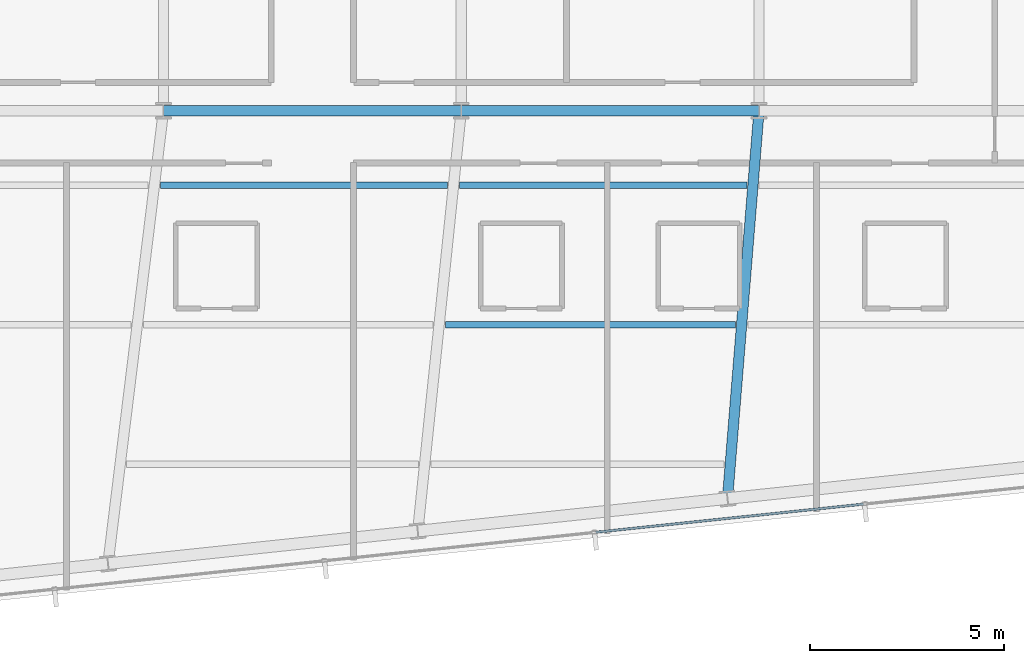
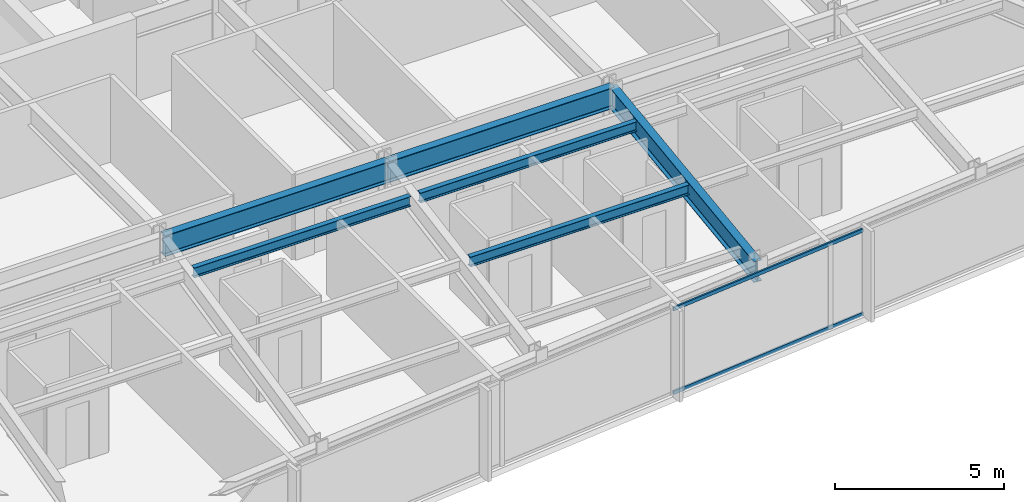
# One storey, part 9 of 33: 6 beams, 2 members, 1 element without a shape of its own.
"""IFC4 building model written with IfcOpenShell, lengths in metres."""

import ifcopenshell
import ifcopenshell.guid

model = None  # the IFC model being written
_history = None  # IfcOwnerHistory: only IFC2X3 demands one
_inside = {}  # id of a spatial element -> (the spatial element, [elements in it])
_under = {}  # id of a project, library or spatial element -> (it, [spatial elements below it])
_declared = {}  # id of a project -> (the project, [libraries it declares])
_typed = {}  # id of a type object -> (the type object, [elements of that type])
_made_of = {}  # id of a material, layer set ... -> (it, [elements and type objects made of it])


def new_model(schema):
    """Start an empty IFC model of exactly this schema.

    Asked for "IFC4X3", IfcOpenShell would pick the latest addendum, in which some entities
    have other attributes; the version numbers below select the first issue.
    IFC2X3 requires an IfcOwnerHistory on every rooted entity: one is made here for all.
    """
    global model, _history
    if schema == "IFC4X3":
        model = ifcopenshell.file(schema_version=(4, 3, 0, 0))
    else:
        model = ifcopenshell.file(schema=schema)
    _inside.clear()
    _under.clear()
    _declared.clear()
    _typed.clear()
    _made_of.clear()
    _history = None
    if model.schema == "IFC2X3":
        org = make("IfcOrganization", Name="unknown")
        user = make(
            "IfcPersonAndOrganization",
            ThePerson=make("IfcPerson", FamilyName="unknown"),
            TheOrganization=org,
        )
        app = make(
            "IfcApplication",
            ApplicationDeveloper=org,
            Version="unknown",
            ApplicationFullName="unknown",
            ApplicationIdentifier="unknown",
        )
        _history = make(
            "IfcOwnerHistory",
            OwningUser=user,
            OwningApplication=app,
            ChangeAction="ADDED",
            CreationDate=0,
        )
    return model


def make(cls, **values):
    """One entity of the class cls with the attributes given. An attribute that is None is left unset."""
    return model.create_entity(
        cls, **{name: value for name, value in values.items() if value is not None}
    )


def rooted(cls, **values):
    """An entity with a GlobalId (a new one), such as an element, a storey or a relation."""
    return make(cls, GlobalId=ifcopenshell.guid.new(), OwnerHistory=_history, **values)


def si_unit(unit_type, name, prefix=None):
    """IfcSIUnit, for example si_unit("LENGTHUNIT", "METRE", prefix="MILLI")."""
    return make("IfcSIUnit", UnitType=unit_type, Prefix=prefix, Name=name)


def assignment(units):
    """IfcUnitAssignment: the units of a project."""
    return None if units is None else make("IfcUnitAssignment", Units=units)


def point(xyz):
    """IfcCartesianPoint."""
    return None if xyz is None else make("IfcCartesianPoint", Coordinates=xyz)


def direction(xyz):
    """IfcDirection."""
    return None if xyz is None else make("IfcDirection", DirectionRatios=xyz)


def frame(location, z_axis=None, x_axis=None):
    """IfcAxis2Placement3D, a coordinate frame: its origin and axes. An axis left out is left unset."""
    return make(
        "IfcAxis2Placement3D",
        Location=point(location),
        Axis=direction(z_axis),
        RefDirection=direction(x_axis),
    )


def frame_2d(location, x_axis=None):
    """IfcAxis2Placement2D, a coordinate frame in the plane: its origin and x axis."""
    return make(
        "IfcAxis2Placement2D", Location=point(location), RefDirection=direction(x_axis)
    )


def origin():
    """The frame at (0, 0, 0) with its axes left unset."""
    return frame((0.0, 0.0, 0.0))


def origin_2d():
    """The frame at (0, 0) in the plane with its x axis left unset."""
    return frame_2d((0.0, 0.0))


def place(relative_to, where):
    """IfcLocalPlacement: puts the frame where relative to a parent placement (None: the world)."""
    return make(
        "IfcLocalPlacement", PlacementRelTo=relative_to, RelativePlacement=where
    )


def context(
    kind, dimensions, precision=None, world=None, true_north=None, identifier=None
):
    """IfcGeometricRepresentationContext, for example the 3D "Model" context."""
    return make(
        "IfcGeometricRepresentationContext",
        ContextIdentifier=identifier,
        ContextType=kind,
        CoordinateSpaceDimension=dimensions,
        Precision=precision,
        WorldCoordinateSystem=world,
        TrueNorth=true_north,
    )


def subcontext(parent, identifier, kind, view, scale=None):
    """IfcGeometricRepresentationSubContext, for example "Body" below "Model"."""
    return make(
        "IfcGeometricRepresentationSubContext",
        ContextIdentifier=identifier,
        ContextType=kind,
        ParentContext=parent,
        TargetScale=scale,
        TargetView=view,
    )


def project(units=None, contexts=None):
    """IfcProject with its units and contexts."""
    return rooted(
        "IfcProject",
        Name="project",
        RepresentationContexts=contexts,
        UnitsInContext=assignment(units),
    )


def spatial(cls, under=None, at=None, **own):
    """A site, building, storey or space (cls), placed at a placement, below another one or the project."""
    s = rooted(cls, ObjectPlacement=at, **own)
    if under is not None:
        _under.setdefault(under.id(), (under, []))[1].append(s)
    return s


def profile(cls, at=None, kind="AREA", **sizes):
    """A parametric profile (cls). Its sizes go by their IFC names, for example OverallWidth=200.0."""
    return make(cls, ProfileType=kind, Position=at, **sizes)


def hollow_rectangle(**sizes):
    """IfcRectangleHollowProfileDef."""
    return profile("IfcRectangleHollowProfileDef", **sizes)


def i_section(**sizes):
    """IfcIShapeProfileDef."""
    return profile("IfcIShapeProfileDef", **sizes)


def extrude(swept, where, along, depth):
    """IfcExtrudedAreaSolid: the profile swept, set in the frame where, extruded along a direction by depth."""
    return make(
        "IfcExtrudedAreaSolid",
        SweptArea=swept,
        Position=where,
        ExtrudedDirection=direction(along),
        Depth=depth,
    )


def shape(context_of_items, identifier, shape_type, items):
    """IfcShapeRepresentation: the items that make up one representation, for example the "Body"."""
    return make(
        "IfcShapeRepresentation",
        ContextOfItems=context_of_items,
        RepresentationIdentifier=identifier,
        RepresentationType=shape_type,
        Items=items,
    )


def material(Name=None, Category=None):
    """IfcMaterial."""
    return make("IfcMaterial", Name=Name, Category=Category)


def material_profile(
    of_material, cross_section, Name=None, Category=None, Priority=None
):
    """IfcMaterialProfile: a cross section and its material."""
    return make(
        "IfcMaterialProfile",
        Name=Name,
        Material=of_material,
        Profile=cross_section,
        Priority=Priority,
        Category=Category,
    )


def profile_set(profiles, Name=None, composite=None):
    """IfcMaterialProfileSet."""
    return make(
        "IfcMaterialProfileSet",
        Name=Name,
        MaterialProfiles=profiles,
        CompositeProfile=composite,
    )


def made_of(thing, what):
    """Note that an element or type object is made of a material, layer set ...; save() writes the relation."""
    if what is not None:
        _made_of.setdefault(what.id(), (what, []))[1].append(thing)
    return thing


def type_object(cls, material=None, **own):
    """A type object (cls), such as IfcWallType, which elements share."""
    return made_of(rooted(cls, **own), material)


def element(
    cls,
    number,
    at=None,
    inside=None,
    cuts=None,
    type_object=None,
    material=None,
    context=None,
    identifier="Body",
    shape_type=None,
    held_by="IfcProductDefinitionShape",
    body=None,
    shapes=None,
    **own,
):
    """One element of the class cls, such as IfcWall. Its Tag is "e" and its number.

    at: its placement. inside: the storey or other place that contains it. cuts: it is an
    opening in that element (IfcRelVoidsElement). A single representation is given by context,
    identifier, shape_type and body (its items); several are given by shapes. held_by: the class
    of the entity that holds the representations. save() writes the other relations.
    """
    e = rooted(cls, Tag="e%d" % number, ObjectPlacement=at, **own)
    if body is not None:
        shapes = [shape(context, identifier, shape_type, body)]
    if shapes is not None:
        e.Representation = make(held_by, Representations=shapes)
    if inside is not None:
        _inside.setdefault(inside.id(), (inside, []))[1].append(e)
    if cuts is not None:
        rooted(
            "IfcRelVoidsElement", RelatingBuildingElement=cuts, RelatedOpeningElement=e
        )
    if type_object is not None:
        _typed.setdefault(type_object.id(), (type_object, []))[1].append(e)
    return made_of(e, material)


def aggregate(whole, parts):
    """IfcRelAggregates: a whole, such as a stair, and the parts it consists of."""
    return rooted("IfcRelAggregates", RelatingObject=whole, RelatedObjects=parts)


def save(model, path):
    """Write the relations noted so far, then the file.

    IfcRelAggregates (storeys below a building ...), IfcRelContainedInSpatialStructure (elements
    in a storey), IfcRelDefinesByType, IfcRelAssociatesMaterial and IfcRelDeclares: one each for
    every whole, place, type object, material and project.
    """
    for whole, parts in _under.values():
        aggregate(whole, parts)
    for where, things in _inside.values():
        rooted(
            "IfcRelContainedInSpatialStructure",
            RelatedElements=things,
            RelatingStructure=where,
        )
    for kind, things in _typed.values():
        rooted("IfcRelDefinesByType", RelatedObjects=things, RelatingType=kind)
    for what, things in _made_of.values():
        rooted("IfcRelAssociatesMaterial", RelatedObjects=things, RelatingMaterial=what)
    for by, libraries in _declared.values():
        rooted("IfcRelDeclares", RelatingContext=by, RelatedDefinitions=libraries)
    model.write(path)


model = new_model("IFC4")

# Units and contexts
model_context = context("Model", 3, precision=1e-05, world=origin(), true_north=direction((0.0, 1.0)))
body_context = subcontext(model_context, "Body", "Model", "MODEL_VIEW")
ifc_project = project(units=[si_unit("LENGTHUNIT", "METRE"), si_unit("AREAUNIT", "SQUARE_METRE"), si_unit("VOLUMEUNIT", "CUBIC_METRE"), si_unit("PLANEANGLEUNIT", "RADIAN"), si_unit("MASSUNIT", "GRAM", prefix="KILO")], contexts=[model_context])

# Site, building, storey
site_placement = place(None, origin())
site = spatial("IfcSite", under=ifc_project, at=site_placement, CompositionType="ELEMENT")
building_placement = place(site_placement, origin())
building = spatial("IfcBuilding", under=site, at=building_placement, Name="Yelkora Congress Tower", CompositionType="ELEMENT")
storey_placement = place(building_placement, frame((0.0, 0.0, 221.0)))
storey = spatial("IfcBuildingStorey", under=building, at=storey_placement, Name="L61", CompositionType="ELEMENT", Elevation=221.0)

# Beams
ifc_material_1 = material(Name="Steel S355J2", Category="steel")
ifc_material_profile_1 = material_profile(ifc_material_1, i_section(OverallWidth=0.26708984375, OverallDepth=0.761962890625, WebThickness=0.014404296875, FlangeThickness=0.021484375, FilletRadius=0.01708984375, at=origin_2d()), Name="IPE 750x173")
ifc_profile_set_1 = profile_set([ifc_material_profile_1], Name="Steel S355J2")
beam_type_1 = type_object("IfcBeamType", Name="BM-GIRD-IPE750", PredefinedType="BEAM", material=ifc_profile_set_1)
beam_1_placement = place(storey_placement, frame((30.719970703125, 25.199951171875, 2.698974609375), z_axis=(1.0, 0.0, 0.0), x_axis=(0.0, 1.0, 0.0)))
element("IfcBeam", 1, at=beam_1_placement, inside=storey, type_object=beam_type_1, Name="L61 Spine Grid D Girder 3", PredefinedType="BEAM", context=body_context, shape_type="SweptSolid", body=[
    extrude(i_section(OverallWidth=0.26708984375, OverallDepth=0.761962890625, WebThickness=0.014404296875, FlangeThickness=0.021484375, FilletRadius=0.01708984375, at=origin_2d()), origin(), (0.0, 0.0, 1.0), 7.679931640625),
])
beam_2_placement = place(storey_placement, frame((38.39990234375, 25.199951171875, 2.698974609375), z_axis=(1.0, 0.0, 0.0), x_axis=(0.0, 1.0, 0.0)))
element("IfcBeam", 2, at=beam_2_placement, inside=storey, type_object=beam_type_1, Name="L61 Spine Grid D Girder 4", PredefinedType="BEAM", context=body_context, shape_type="SweptSolid", body=[
    extrude(i_section(OverallWidth=0.26708984375, OverallDepth=0.761962890625, WebThickness=0.014404296875, FlangeThickness=0.021484375, FilletRadius=0.01708984375, at=origin_2d()), origin(), (0.0, 0.0, 1.0), 7.68017578125),
])
beam_3_placement = place(storey_placement, frame((45.26708984375, 15.197509765625, 2.698974609375), z_axis=(0.081011831965, 0.996713139816, 0.0), x_axis=(-0.996713139816, 0.081011831965, 0.0)))
element("IfcBeam", 3, at=beam_3_placement, inside=storey, type_object=beam_type_1, Name="L61 Primary Frame Girder S04", PredefinedType="BEAM", context=body_context, shape_type="SweptSolid", body=[
    extrude(i_section(OverallWidth=0.26708984375, OverallDepth=0.761962890625, WebThickness=0.014404296875, FlangeThickness=0.021484375, FilletRadius=0.01708984375, at=origin_2d()), origin(), (0.0, 0.0, 1.0), 10.035400390625),
])
ifc_material_profile_2 = material_profile(ifc_material_1, i_section(OverallWidth=0.169921875, OverallDepth=0.360107421875, WebThickness=0.008056640625, FlangeThickness=0.0126953125, FilletRadius=0.01806640625, at=origin_2d()), Name="IPE 360")
ifc_profile_set_2 = profile_set([ifc_material_profile_2], Name="Steel S355J2")
beam_type_2 = type_object("IfcBeamType", Name="BM-JOIST-IPE360", PredefinedType="JOIST", material=ifc_profile_set_2)
beam_4_placement = place(storey_placement, frame((37.988525390625, 19.678466796875, 2.89990234375), z_axis=(1.0, 0.0, 0.0), x_axis=(0.0, 1.0, 0.0)))
element("IfcBeam", 4, at=beam_4_placement, inside=storey, type_object=beam_type_2, Name="L61 Composite Floor Joist 5", PredefinedType="JOIST", context=body_context, shape_type="SweptSolid", body=[
    extrude(i_section(OverallWidth=0.169921875, OverallDepth=0.360107421875, WebThickness=0.008056640625, FlangeThickness=0.0126953125, FilletRadius=0.01806640625, at=origin_2d()), origin(), (0.0, 0.0, 1.0), 7.482666015625),
])
beam_5_placement = place(storey_placement, frame((30.64453125, 23.278564453125, 2.89990234375), z_axis=(1.0, 0.0, 0.0), x_axis=(0.0, 1.0, 0.0)))
element("IfcBeam", 5, at=beam_5_placement, inside=storey, type_object=beam_type_2, Name="L61 Composite Floor Joist 10", PredefinedType="JOIST", context=body_context, shape_type="SweptSolid", body=[
    extrude(i_section(OverallWidth=0.169921875, OverallDepth=0.360107421875, WebThickness=0.008056640625, FlangeThickness=0.0126953125, FilletRadius=0.01806640625, at=origin_2d()), origin(), (0.0, 0.0, 1.0), 7.396484375),
])
beam_6_placement = place(storey_placement, frame((38.361083984375, 23.278564453125, 2.89990234375), z_axis=(1.0, 0.0, 0.0), x_axis=(0.0, 1.0, 0.0)))
element("IfcBeam", 6, at=beam_6_placement, inside=storey, type_object=beam_type_2, Name="L61 Composite Floor Joist 11", PredefinedType="JOIST", context=body_context, shape_type="SweptSolid", body=[
    extrude(i_section(OverallWidth=0.169921875, OverallDepth=0.360107421875, WebThickness=0.008056640625, FlangeThickness=0.0126953125, FilletRadius=0.01806640625, at=origin_2d()), origin(), (0.0, 0.0, 1.0), 7.40283203125),
])

# Curtain wall, members
ifc_material_2 = material(Name="Anodised aluminium and insulated glass", Category="aluminium")
curtain_wall_type = type_object("IfcCurtainWallType", Name="CW-SYS-B4", PredefinedType="NOTDEFINED", material=ifc_material_2)
curtain_wall_placement = place(storey_placement, origin())
curtain_wall = element("IfcCurtainWall", 7, at=curtain_wall_placement, inside=storey, type_object=curtain_wall_type, Name="L61 Unitised Curtain Wall 20", PredefinedType="NOTDEFINED")
ifc_material_3 = material(Name="Anodised aluminium 6063-T6", Category="aluminium")
ifc_material_profile_3 = material_profile(ifc_material_3, hollow_rectangle(XDim=0.06005859375, YDim=0.1298828125, WallThickness=0.00390625, at=origin_2d()), Name="ALU 60x130x4")
ifc_profile_set_3 = profile_set([ifc_material_profile_3], Name="Anodised aluminium 6063-T6")
member_type = type_object("IfcMemberType", Name="MEM-TR-B4", PredefinedType="USERDEFINED", material=ifc_profile_set_3)
member_1_placement = place(storey_placement, frame((48.770263671875, 15.052978515625, 0.030029296875), z_axis=(-0.99452356298, -0.104512595784, 0.0), x_axis=(0.104512595784, -0.99452356298, 0.0)))
member_1 = element("IfcMember", 8, at=member_1_placement, type_object=member_type, Name="CW-B4 transom 4.1", ObjectType="TRANSOM", PredefinedType="USERDEFINED", context=body_context, shape_type="SweptSolid", body=[
    extrude(hollow_rectangle(XDim=0.06005859375, YDim=0.1298828125, WallThickness=0.00390625, at=origin_2d()), origin(), (0.0, 0.0, 1.0), 6.93798828125),
])
member_2_placement = place(storey_placement, frame((48.770263671875, 15.052978515625, 3.050048828125), z_axis=(-0.99452356298, -0.104512595784, 0.0), x_axis=(0.104512595784, -0.99452356298, 0.0)))
member_2 = element("IfcMember", 9, at=member_2_placement, type_object=member_type, Name="CW-B4 transom 4.2", ObjectType="TRANSOM", PredefinedType="USERDEFINED", context=body_context, shape_type="SweptSolid", body=[
    extrude(hollow_rectangle(XDim=0.06005859375, YDim=0.1298828125, WallThickness=0.00390625, at=origin_2d()), origin(), (0.0, 0.0, 1.0), 6.93798828125),
])
aggregate(curtain_wall, [member_1, member_2])

save(model, "model.ifc")
